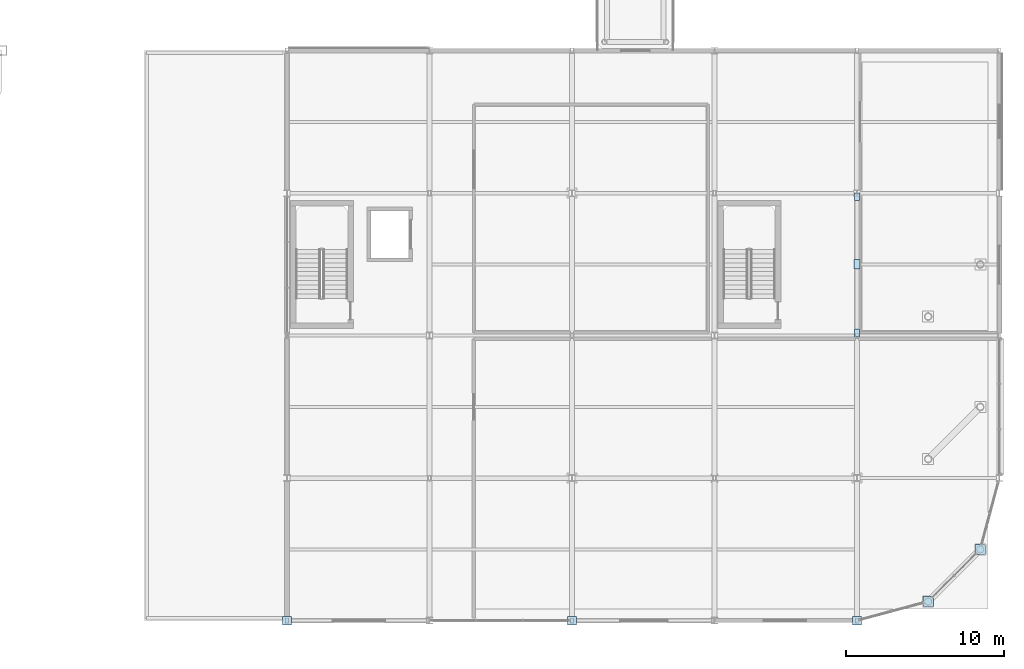
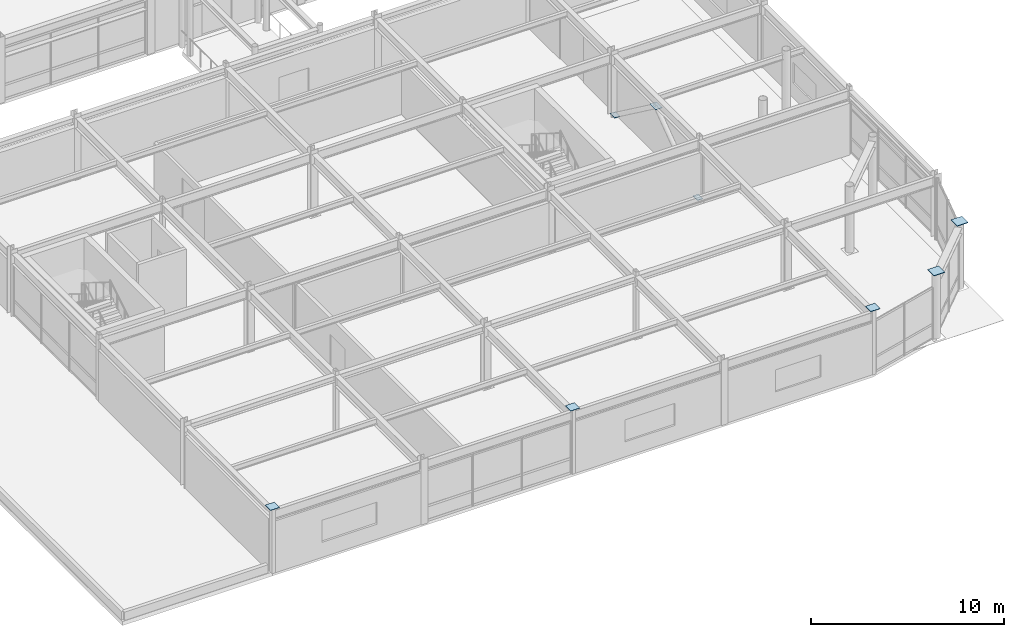
# One storey, part 70 of 105: 8 plates.
"""IFC4 building model written with IfcOpenShell, lengths in metres."""

from ifc_helpers import new_model, si_unit, direction, frame, origin, origin_2d, place, context, subcontext, project, spatial, rectangle, extrude, material, layer, layer_set, type_object, element, save


model = new_model("IFC4")

# Units and contexts
model_context = context("Model", 3, precision=1e-05, world=origin(), true_north=direction((0.0, 1.0)))
body_context = subcontext(model_context, "Body", "Model", "MODEL_VIEW")
ifc_project = project(units=[si_unit("LENGTHUNIT", "METRE"), si_unit("AREAUNIT", "SQUARE_METRE"), si_unit("VOLUMEUNIT", "CUBIC_METRE"), si_unit("PLANEANGLEUNIT", "RADIAN"), si_unit("MASSUNIT", "GRAM", prefix="KILO")], contexts=[model_context])

# Site, building, storey
site_placement = place(None, origin())
site = spatial("IfcSite", under=ifc_project, at=site_placement, CompositionType="ELEMENT")
building_placement = place(site_placement, origin())
building = spatial("IfcBuilding", under=site, at=building_placement, Name="Suzunagisa Mobility Hub", CompositionType="ELEMENT")
storey_placement = place(building_placement, frame((0.0, 0.0, 5.10009765625)))
storey = spatial("IfcBuildingStorey", under=building, at=storey_placement, Name="L01", CompositionType="ELEMENT", Elevation=5.10009765625)

# Plates
ifc_material = material(Name="Steel SN490B", Category="steel")
ifc_layer_1 = layer(ifc_material, 0.02392578125)
ifc_layer_set_1 = layer_set([ifc_layer_1], Name="Steel SN490B")
plate_type_1 = type_object("IfcPlateType", Name="Structural Steel Plate SP-01 550x550x24", PredefinedType="USERDEFINED", material=ifc_layer_set_1)
for number, where, z_axis, x_axis, name in (
    (1, (135.0, 0.0, 4.139892578125), (0.0, 0.0, 1.0), (1.0, 0.0, 0.0), "L01 Column Cap Plate CP-242"),
    (2, (153.0, 0.0, 4.139892578125), (0.0, 0.0, 1.0), (1.0, 0.0, 0.0), "L01 Column Cap Plate CP-264"),
    (3, (171.0, 0.0, 4.139892578125), (0.0, 0.0, 1.0), (1.0, 0.0, 0.0), "L01 Column Cap Plate CP-296"),
):
    element("IfcPlate", number, at=place(storey_placement, frame(where, z_axis=z_axis, x_axis=x_axis)), inside=storey, type_object=plate_type_1, Name=name, ObjectType="BASE PLATE", PredefinedType="USERDEFINED", context=body_context, shape_type="SweptSolid", body=[
        extrude(rectangle(XDim=0.550048828125, YDim=0.550048828125, at=origin_2d()), origin(), (0.0, 0.0, 1.0), 0.02392578125),
    ])
ifc_layer_2 = layer(ifc_material, 0.028076171875)
ifc_layer_set_2 = layer_set([ifc_layer_2], Name="Steel SN490B")
plate_type_2 = type_object("IfcPlateType", Name="Structural Steel Plate SP-04 480x320x28", PredefinedType="USERDEFINED", material=ifc_layer_set_2)
for number, where, z_axis, x_axis, name in (
    (4, (171.0, 18.169921875, 0.10595703125), (0.0, 0.0, 1.0), (1.0, 0.0, 0.0), "L01 Brace Foot Gusset Plate FGP-127.1"),
    (5, (171.0, 26.780029296875, 0.10595703125), (0.0, 0.0, 1.0), (1.0, 0.0, 0.0), "L01 Brace Foot Gusset Plate FGP-127.2"),
):
    element("IfcPlate", number, at=place(storey_placement, frame(where, z_axis=z_axis, x_axis=x_axis)), inside=storey, type_object=plate_type_2, Name=name, ObjectType="GUSSET PLATE", PredefinedType="USERDEFINED", context=body_context, shape_type="SweptSolid", body=[
        extrude(rectangle(XDim=0.320068359375, YDim=0.47998046875, at=origin_2d()), origin(), (0.0, 0.0, 1.0), 0.028076171875),
    ])
ifc_layer_3 = layer(ifc_material, 0.031982421875)
ifc_layer_set_3 = layer_set([ifc_layer_3], Name="Steel SN490B")
plate_type_3 = type_object("IfcPlateType", Name="Structural Steel Plate SP-05 650x650x32", PredefinedType="USERDEFINED", material=ifc_layer_set_3)
for number, where, z_axis, x_axis, name in (
    (6, (175.5, 1.205810546875, 4.14013671875), (0.0, 0.0, 1.0), (1.0, 0.0, 0.0), "L01 Column Cap Plate CP-309"),
    (7, (178.794189453125, 4.5, 4.14013671875), (0.0, 0.0, 1.0), (1.0, 0.0, 0.0), "L01 Column Cap Plate CP-315"),
):
    element("IfcPlate", number, at=place(storey_placement, frame(where, z_axis=z_axis, x_axis=x_axis)), inside=storey, type_object=plate_type_3, Name=name, ObjectType="BASE PLATE", PredefinedType="USERDEFINED", context=body_context, shape_type="SweptSolid", body=[
        extrude(rectangle(XDim=0.64990234375, YDim=0.64990234375, at=origin_2d()), origin(), (0.0, 0.0, 1.0), 0.031982421875),
    ])
ifc_layer_4 = layer(ifc_material, 0.028076171875)
ifc_layer_set_4 = layer_set([ifc_layer_4], Name="Steel SN490B")
plate_type_4 = type_object("IfcPlateType", Name="Structural Steel Plate SP-06 600x400x28", PredefinedType="USERDEFINED", material=ifc_layer_set_4)
plate_placement = place(storey_placement, frame((171.0, 22.5, 3.27197265625), z_axis=(0.0, 0.0, 1.0), x_axis=(1.0, 0.0, 0.0)))
element("IfcPlate", 8, at=plate_placement, inside=storey, type_object=plate_type_4, Name="L01 Brace Apex Gusset GP-127", ObjectType="GUSSET PLATE", PredefinedType="USERDEFINED", context=body_context, shape_type="SweptSolid", body=[
    extrude(rectangle(XDim=0.39990234375, YDim=0.60009765625, at=origin_2d()), origin(), (0.0, 0.0, 1.0), 0.028076171875),
])

save(model, "model.ifc")
